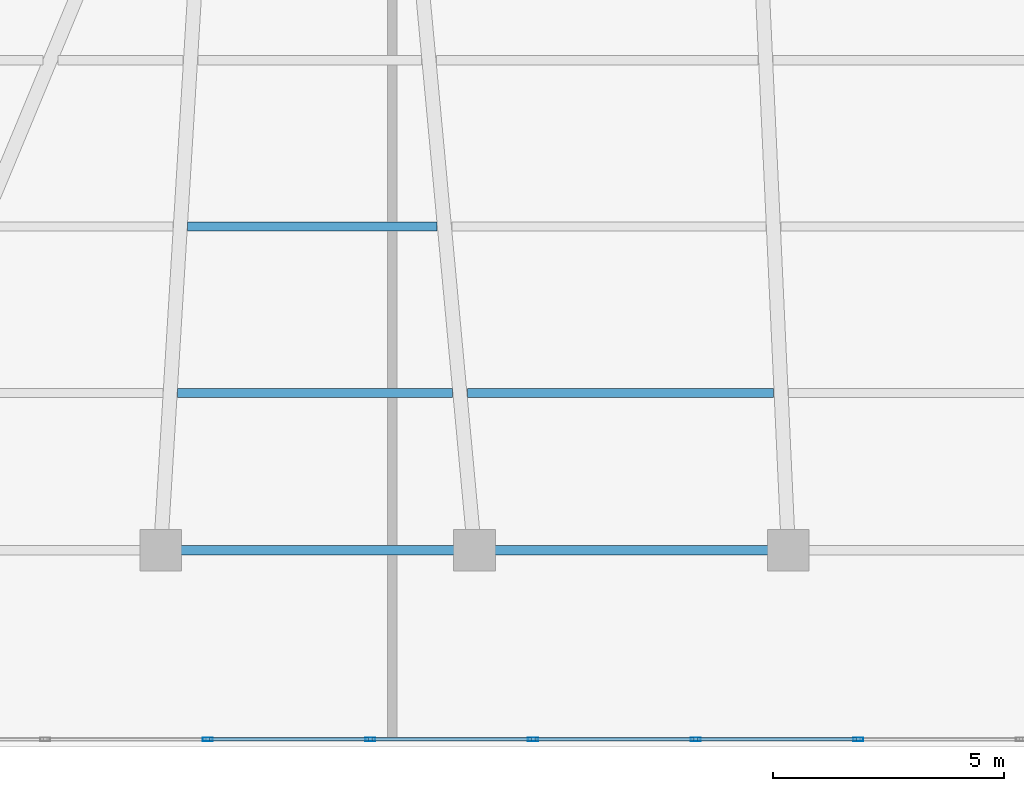
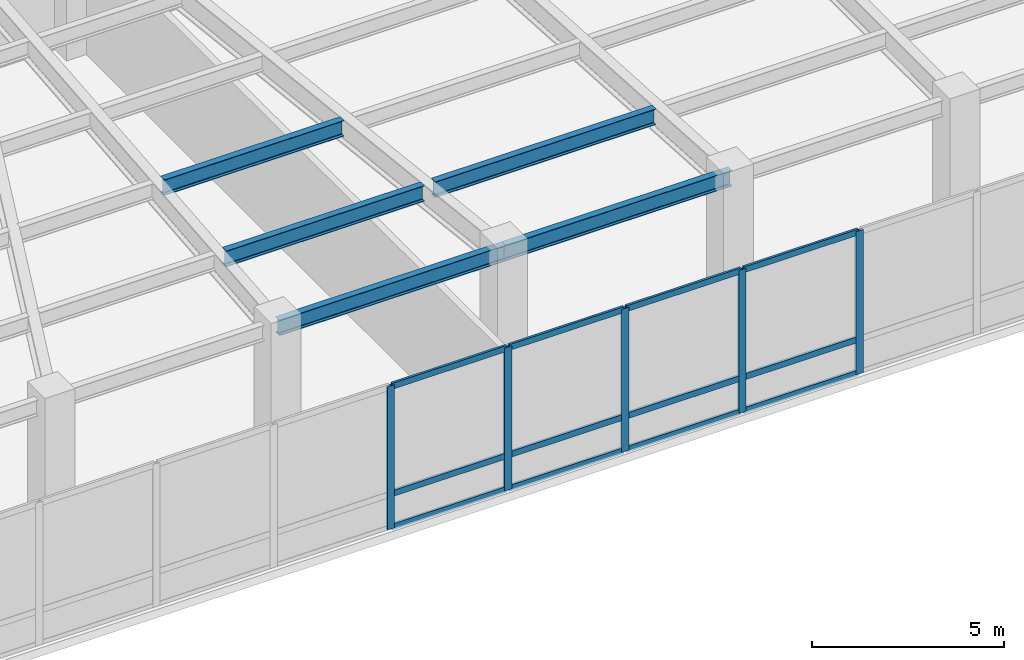
# One storey, part 4 of 19: 17 members, 5 beams, 1 element without a shape of its own.
"""IFC4 building model written with IfcOpenShell, lengths in metres."""

import ifcopenshell
import ifcopenshell.guid

model = None  # the IFC model being written
_history = None  # IfcOwnerHistory: only IFC2X3 demands one
_inside = {}  # id of a spatial element -> (the spatial element, [elements in it])
_under = {}  # id of a project, library or spatial element -> (it, [spatial elements below it])
_declared = {}  # id of a project -> (the project, [libraries it declares])
_typed = {}  # id of a type object -> (the type object, [elements of that type])
_made_of = {}  # id of a material, layer set ... -> (it, [elements and type objects made of it])


def new_model(schema):
    """Start an empty IFC model of exactly this schema.

    Asked for "IFC4X3", IfcOpenShell would pick the latest addendum, in which some entities
    have other attributes; the version numbers below select the first issue.
    IFC2X3 requires an IfcOwnerHistory on every rooted entity: one is made here for all.
    """
    global model, _history
    if schema == "IFC4X3":
        model = ifcopenshell.file(schema_version=(4, 3, 0, 0))
    else:
        model = ifcopenshell.file(schema=schema)
    _inside.clear()
    _under.clear()
    _declared.clear()
    _typed.clear()
    _made_of.clear()
    _history = None
    if model.schema == "IFC2X3":
        org = make("IfcOrganization", Name="unknown")
        user = make(
            "IfcPersonAndOrganization",
            ThePerson=make("IfcPerson", FamilyName="unknown"),
            TheOrganization=org,
        )
        app = make(
            "IfcApplication",
            ApplicationDeveloper=org,
            Version="unknown",
            ApplicationFullName="unknown",
            ApplicationIdentifier="unknown",
        )
        _history = make(
            "IfcOwnerHistory",
            OwningUser=user,
            OwningApplication=app,
            ChangeAction="ADDED",
            CreationDate=0,
        )
    return model


def make(cls, **values):
    """One entity of the class cls with the attributes given. An attribute that is None is left unset."""
    return model.create_entity(
        cls, **{name: value for name, value in values.items() if value is not None}
    )


def rooted(cls, **values):
    """An entity with a GlobalId (a new one), such as an element, a storey or a relation."""
    return make(cls, GlobalId=ifcopenshell.guid.new(), OwnerHistory=_history, **values)


def si_unit(unit_type, name, prefix=None):
    """IfcSIUnit, for example si_unit("LENGTHUNIT", "METRE", prefix="MILLI")."""
    return make("IfcSIUnit", UnitType=unit_type, Prefix=prefix, Name=name)


def assignment(units):
    """IfcUnitAssignment: the units of a project."""
    return None if units is None else make("IfcUnitAssignment", Units=units)


def point(xyz):
    """IfcCartesianPoint."""
    return None if xyz is None else make("IfcCartesianPoint", Coordinates=xyz)


def direction(xyz):
    """IfcDirection."""
    return None if xyz is None else make("IfcDirection", DirectionRatios=xyz)


def frame(location, z_axis=None, x_axis=None):
    """IfcAxis2Placement3D, a coordinate frame: its origin and axes. An axis left out is left unset."""
    return make(
        "IfcAxis2Placement3D",
        Location=point(location),
        Axis=direction(z_axis),
        RefDirection=direction(x_axis),
    )


def frame_2d(location, x_axis=None):
    """IfcAxis2Placement2D, a coordinate frame in the plane: its origin and x axis."""
    return make(
        "IfcAxis2Placement2D", Location=point(location), RefDirection=direction(x_axis)
    )


def origin():
    """The frame at (0, 0, 0) with its axes left unset."""
    return frame((0.0, 0.0, 0.0))


def origin_2d():
    """The frame at (0, 0) in the plane with its x axis left unset."""
    return frame_2d((0.0, 0.0))


def place(relative_to, where):
    """IfcLocalPlacement: puts the frame where relative to a parent placement (None: the world)."""
    return make(
        "IfcLocalPlacement", PlacementRelTo=relative_to, RelativePlacement=where
    )


def context(
    kind, dimensions, precision=None, world=None, true_north=None, identifier=None
):
    """IfcGeometricRepresentationContext, for example the 3D "Model" context."""
    return make(
        "IfcGeometricRepresentationContext",
        ContextIdentifier=identifier,
        ContextType=kind,
        CoordinateSpaceDimension=dimensions,
        Precision=precision,
        WorldCoordinateSystem=world,
        TrueNorth=true_north,
    )


def subcontext(parent, identifier, kind, view, scale=None):
    """IfcGeometricRepresentationSubContext, for example "Body" below "Model"."""
    return make(
        "IfcGeometricRepresentationSubContext",
        ContextIdentifier=identifier,
        ContextType=kind,
        ParentContext=parent,
        TargetScale=scale,
        TargetView=view,
    )


def project(units=None, contexts=None):
    """IfcProject with its units and contexts."""
    return rooted(
        "IfcProject",
        Name="project",
        RepresentationContexts=contexts,
        UnitsInContext=assignment(units),
    )


def spatial(cls, under=None, at=None, **own):
    """A site, building, storey or space (cls), placed at a placement, below another one or the project."""
    s = rooted(cls, ObjectPlacement=at, **own)
    if under is not None:
        _under.setdefault(under.id(), (under, []))[1].append(s)
    return s


def profile(cls, at=None, kind="AREA", **sizes):
    """A parametric profile (cls). Its sizes go by their IFC names, for example OverallWidth=200.0."""
    return make(cls, ProfileType=kind, Position=at, **sizes)


def hollow_rectangle(**sizes):
    """IfcRectangleHollowProfileDef."""
    return profile("IfcRectangleHollowProfileDef", **sizes)


def i_section(**sizes):
    """IfcIShapeProfileDef."""
    return profile("IfcIShapeProfileDef", **sizes)


def extrude(swept, where, along, depth):
    """IfcExtrudedAreaSolid: the profile swept, set in the frame where, extruded along a direction by depth."""
    return make(
        "IfcExtrudedAreaSolid",
        SweptArea=swept,
        Position=where,
        ExtrudedDirection=direction(along),
        Depth=depth,
    )


def shape(context_of_items, identifier, shape_type, items):
    """IfcShapeRepresentation: the items that make up one representation, for example the "Body"."""
    return make(
        "IfcShapeRepresentation",
        ContextOfItems=context_of_items,
        RepresentationIdentifier=identifier,
        RepresentationType=shape_type,
        Items=items,
    )


def material(Name=None, Category=None):
    """IfcMaterial."""
    return make("IfcMaterial", Name=Name, Category=Category)


def material_profile(
    of_material, cross_section, Name=None, Category=None, Priority=None
):
    """IfcMaterialProfile: a cross section and its material."""
    return make(
        "IfcMaterialProfile",
        Name=Name,
        Material=of_material,
        Profile=cross_section,
        Priority=Priority,
        Category=Category,
    )


def profile_set(profiles, Name=None, composite=None):
    """IfcMaterialProfileSet."""
    return make(
        "IfcMaterialProfileSet",
        Name=Name,
        MaterialProfiles=profiles,
        CompositeProfile=composite,
    )


def made_of(thing, what):
    """Note that an element or type object is made of a material, layer set ...; save() writes the relation."""
    if what is not None:
        _made_of.setdefault(what.id(), (what, []))[1].append(thing)
    return thing


def type_object(cls, material=None, **own):
    """A type object (cls), such as IfcWallType, which elements share."""
    return made_of(rooted(cls, **own), material)


def element(
    cls,
    number,
    at=None,
    inside=None,
    cuts=None,
    type_object=None,
    material=None,
    context=None,
    identifier="Body",
    shape_type=None,
    held_by="IfcProductDefinitionShape",
    body=None,
    shapes=None,
    **own,
):
    """One element of the class cls, such as IfcWall. Its Tag is "e" and its number.

    at: its placement. inside: the storey or other place that contains it. cuts: it is an
    opening in that element (IfcRelVoidsElement). A single representation is given by context,
    identifier, shape_type and body (its items); several are given by shapes. held_by: the class
    of the entity that holds the representations. save() writes the other relations.
    """
    e = rooted(cls, Tag="e%d" % number, ObjectPlacement=at, **own)
    if body is not None:
        shapes = [shape(context, identifier, shape_type, body)]
    if shapes is not None:
        e.Representation = make(held_by, Representations=shapes)
    if inside is not None:
        _inside.setdefault(inside.id(), (inside, []))[1].append(e)
    if cuts is not None:
        rooted(
            "IfcRelVoidsElement", RelatingBuildingElement=cuts, RelatedOpeningElement=e
        )
    if type_object is not None:
        _typed.setdefault(type_object.id(), (type_object, []))[1].append(e)
    return made_of(e, material)


def aggregate(whole, parts):
    """IfcRelAggregates: a whole, such as a stair, and the parts it consists of."""
    return rooted("IfcRelAggregates", RelatingObject=whole, RelatedObjects=parts)


def save(model, path):
    """Write the relations noted so far, then the file.

    IfcRelAggregates (storeys below a building ...), IfcRelContainedInSpatialStructure (elements
    in a storey), IfcRelDefinesByType, IfcRelAssociatesMaterial and IfcRelDeclares: one each for
    every whole, place, type object, material and project.
    """
    for whole, parts in _under.values():
        aggregate(whole, parts)
    for where, things in _inside.values():
        rooted(
            "IfcRelContainedInSpatialStructure",
            RelatedElements=things,
            RelatingStructure=where,
        )
    for kind, things in _typed.values():
        rooted("IfcRelDefinesByType", RelatedObjects=things, RelatingType=kind)
    for what, things in _made_of.values():
        rooted("IfcRelAssociatesMaterial", RelatedObjects=things, RelatingMaterial=what)
    for by, libraries in _declared.values():
        rooted("IfcRelDeclares", RelatingContext=by, RelatedDefinitions=libraries)
    model.write(path)


model = new_model("IFC4")

# Units and contexts
model_context = context("Model", 3, precision=1e-05, world=origin(), true_north=direction((0.0, 1.0)))
body_context = subcontext(model_context, "Body", "Model", "MODEL_VIEW")
ifc_project = project(units=[si_unit("LENGTHUNIT", "METRE"), si_unit("AREAUNIT", "SQUARE_METRE"), si_unit("VOLUMEUNIT", "CUBIC_METRE"), si_unit("PLANEANGLEUNIT", "RADIAN"), si_unit("MASSUNIT", "GRAM", prefix="KILO")], contexts=[model_context])

# Site, building, storey
site_placement = place(None, origin())
site = spatial("IfcSite", under=ifc_project, at=site_placement, CompositionType="ELEMENT")
building_placement = place(site_placement, origin())
building = spatial("IfcBuilding", under=site, at=building_placement, Name="Yelkora Congress Tower", CompositionType="ELEMENT")
storey_placement = place(building_placement, frame((0.0, 0.0, 15.60009765625)))
storey = spatial("IfcBuildingStorey", under=building, at=storey_placement, Name="L03", CompositionType="ELEMENT", Elevation=15.60009765625)

# Beams
ifc_material_1 = material(Name="Steel S355J2", Category="steel")
ifc_material_profile_1 = material_profile(ifc_material_1, i_section(OverallWidth=0.199951171875, OverallDepth=0.5, WebThickness=0.01025390625, FlangeThickness=0.01611328125, FilletRadius=0.02099609375, at=origin_2d()), Name="IPE 500")
ifc_profile_set_1 = profile_set([ifc_material_profile_1], Name="Steel S355J2")
beam_type_1 = type_object("IfcBeamType", Name="BM-JOIST-IPE500", PredefinedType="JOIST", material=ifc_profile_set_1)
beam_1_placement = place(storey_placement, frame((18.397705078125, 9.449951171875, 4.289794921875), z_axis=(1.0, 0.0, 0.0), x_axis=(0.0, 1.0, 0.0)))
element("IfcBeam", 1, at=beam_1_placement, inside=storey, type_object=beam_type_1, Name="L03 Composite Floor Joist 3", PredefinedType="JOIST", context=body_context, shape_type="SweptSolid", body=[
    extrude(i_section(OverallWidth=0.199951171875, OverallDepth=0.5, WebThickness=0.01025390625, FlangeThickness=0.01611328125, FilletRadius=0.02099609375, at=origin_2d()), origin(), (0.0, 0.0, 1.0), 5.9462890625),
])
beam_2_placement = place(storey_placement, frame((24.6640625, 9.449951171875, 4.289794921875), z_axis=(1.0, 0.0, 0.0), x_axis=(0.0, 1.0, 0.0)))
element("IfcBeam", 2, at=beam_2_placement, inside=storey, type_object=beam_type_1, Name="L03 Composite Floor Joist 4", PredefinedType="JOIST", context=body_context, shape_type="SweptSolid", body=[
    extrude(i_section(OverallWidth=0.199951171875, OverallDepth=0.5, WebThickness=0.01025390625, FlangeThickness=0.01611328125, FilletRadius=0.02099609375, at=origin_2d()), origin(), (0.0, 0.0, 1.0), 6.6279296875),
])
beam_3_placement = place(storey_placement, frame((18.61767578125, 13.050048828125, 4.289794921875), z_axis=(1.0, 0.0, 0.0), x_axis=(0.0, 1.0, 0.0)))
element("IfcBeam", 3, at=beam_3_placement, inside=storey, type_object=beam_type_1, Name="L03 Composite Floor Joist 13", PredefinedType="JOIST", context=body_context, shape_type="SweptSolid", body=[
    extrude(i_section(OverallWidth=0.199951171875, OverallDepth=0.5, WebThickness=0.01025390625, FlangeThickness=0.01611328125, FilletRadius=0.02099609375, at=origin_2d()), origin(), (0.0, 0.0, 1.0), 5.3916015625),
])
ifc_material_profile_2 = material_profile(ifc_material_1, i_section(OverallWidth=0.199951171875, OverallDepth=0.5, WebThickness=0.01025390625, FlangeThickness=0.01611328125, FilletRadius=0.02099609375, at=origin_2d()), Name="IPE 500")
ifc_profile_set_2 = profile_set([ifc_material_profile_2], Name="Steel S355J2")
beam_type_2 = type_object("IfcBeamType", Name="BM-SPAN-IPE500B", PredefinedType="BEAM", material=ifc_profile_set_2)
for number, where, z_axis, x_axis, name in (
    (4, (18.030029296875, 6.050048828125, 4.289794921875), (1.0, 0.0, 0.0), (0.0, 1.0, 0.0), "L03 Perimeter Beam 4"),
    (5, (24.820068359375, 6.050048828125, 4.289794921875), (1.0, 0.0, 0.0), (0.0, 1.0, 0.0), "L03 Perimeter Beam 5"),
):
    element("IfcBeam", number, at=place(storey_placement, frame(where, z_axis=z_axis, x_axis=x_axis)), inside=storey, type_object=beam_type_2, Name=name, PredefinedType="BEAM", context=body_context, shape_type="SweptSolid", body=[
        extrude(i_section(OverallWidth=0.199951171875, OverallDepth=0.5, WebThickness=0.01025390625, FlangeThickness=0.01611328125, FilletRadius=0.02099609375, at=origin_2d()), origin(), (0.0, 0.0, 1.0), 6.7900390625),
    ])

# Curtain wall, members
ifc_material_2 = material(Name="Anodised aluminium and insulated glass", Category="aluminium")
curtain_wall_type = type_object("IfcCurtainWallType", Name="CW-SYS-POD", PredefinedType="NOTDEFINED", material=ifc_material_2)
curtain_wall_placement = place(storey_placement, origin())
curtain_wall = element("IfcCurtainWall", 6, at=curtain_wall_placement, inside=storey, type_object=curtain_wall_type, Name="L03 Podium South Curtain Wall", PredefinedType="NOTDEFINED")
ifc_material_3 = material(Name="Anodised aluminium 6063-T6", Category="aluminium")
ifc_material_profile_3 = material_profile(ifc_material_3, hollow_rectangle(XDim=0.074951171875, YDim=0.219970703125, WallThickness=0.0048828125, at=origin_2d()), Name="ALU 75x220x5")
ifc_profile_set_3 = profile_set([ifc_material_profile_3], Name="Anodised aluminium 6063-T6")
member_type_1 = type_object("IfcMemberType", Name="MEM-ML-POD", PredefinedType="MULLION", material=ifc_profile_set_3)
member_1_placement = place(storey_placement, frame((33.122802734375, 1.9599609375, 0.0), z_axis=(0.0, 0.0, 1.0), x_axis=(0.0, -1.0, 0.0)))
member_1 = element("IfcMember", 7, at=member_1_placement, type_object=member_type_1, Name="CW-POD mullion 13", PredefinedType="MULLION", context=body_context, shape_type="SweptSolid", body=[
    extrude(hollow_rectangle(XDim=0.074951171875, YDim=0.219970703125, WallThickness=0.0048828125, at=origin_2d()), origin(), (0.0, 0.0, 1.0), 4.539794921875),
])
member_2_placement = place(storey_placement, frame((29.604736328125, 1.9599609375, 0.0), z_axis=(0.0, 0.0, 1.0), x_axis=(0.0, -1.0, 0.0)))
member_2 = element("IfcMember", 8, at=member_2_placement, type_object=member_type_1, Name="CW-POD mullion 14", PredefinedType="MULLION", context=body_context, shape_type="SweptSolid", body=[
    extrude(hollow_rectangle(XDim=0.074951171875, YDim=0.219970703125, WallThickness=0.0048828125, at=origin_2d()), origin(), (0.0, 0.0, 1.0), 4.539794921875),
])
member_3_placement = place(storey_placement, frame((26.086669921875, 1.9599609375, 0.0), z_axis=(0.0, 0.0, 1.0), x_axis=(0.0, -1.0, 0.0)))
member_3 = element("IfcMember", 9, at=member_3_placement, type_object=member_type_1, Name="CW-POD mullion 15", PredefinedType="MULLION", context=body_context, shape_type="SweptSolid", body=[
    extrude(hollow_rectangle(XDim=0.074951171875, YDim=0.219970703125, WallThickness=0.0048828125, at=origin_2d()), origin(), (0.0, 0.0, 1.0), 4.539794921875),
])
member_4_placement = place(storey_placement, frame((22.568603515625, 1.9599609375, 0.0), z_axis=(0.0, 0.0, 1.0), x_axis=(0.0, -1.0, 0.0)))
member_4 = element("IfcMember", 10, at=member_4_placement, type_object=member_type_1, Name="CW-POD mullion 16", PredefinedType="MULLION", context=body_context, shape_type="SweptSolid", body=[
    extrude(hollow_rectangle(XDim=0.074951171875, YDim=0.219970703125, WallThickness=0.0048828125, at=origin_2d()), origin(), (0.0, 0.0, 1.0), 4.539794921875),
])
member_5_placement = place(storey_placement, frame((19.050537109375, 1.9599609375, 0.0), z_axis=(0.0, 0.0, 1.0), x_axis=(0.0, -1.0, 0.0)))
member_5 = element("IfcMember", 11, at=member_5_placement, type_object=member_type_1, Name="CW-POD mullion 17", PredefinedType="MULLION", context=body_context, shape_type="SweptSolid", body=[
    extrude(hollow_rectangle(XDim=0.074951171875, YDim=0.219970703125, WallThickness=0.0048828125, at=origin_2d()), origin(), (0.0, 0.0, 1.0), 4.539794921875),
])
ifc_material_profile_4 = material_profile(ifc_material_3, hollow_rectangle(XDim=0.070068359375, YDim=0.18994140625, WallThickness=0.00390625, at=origin_2d()), Name="ALU 70x190x4")
ifc_profile_set_4 = profile_set([ifc_material_profile_4], Name="Anodised aluminium 6063-T6")
member_type_2 = type_object("IfcMemberType", Name="MEM-TR-POD", PredefinedType="USERDEFINED", material=ifc_profile_set_4)
member_6_placement = place(storey_placement, frame((33.08544921875, 1.9599609375, 0.034912109375), z_axis=(-1.0, 0.0, 0.0), x_axis=(0.0, -1.0, 0.0)))
member_6 = element("IfcMember", 12, at=member_6_placement, type_object=member_type_2, Name="CW-POD transom 13.1", ObjectType="TRANSOM", PredefinedType="USERDEFINED", context=body_context, shape_type="SweptSolid", body=[
    extrude(hollow_rectangle(XDim=0.070068359375, YDim=0.18994140625, WallThickness=0.00390625, at=origin_2d()), origin(), (0.0, 0.0, 1.0), 3.443115234375),
])
member_7_placement = place(storey_placement, frame((33.08544921875, 1.9599609375, 1.099853515625), z_axis=(-1.0, 0.0, 0.0), x_axis=(0.0, -1.0, 0.0)))
member_7 = element("IfcMember", 13, at=member_7_placement, type_object=member_type_2, Name="CW-POD transom 13.2", ObjectType="TRANSOM", PredefinedType="USERDEFINED", context=body_context, shape_type="SweptSolid", body=[
    extrude(hollow_rectangle(XDim=0.070068359375, YDim=0.18994140625, WallThickness=0.00390625, at=origin_2d()), origin(), (0.0, 0.0, 1.0), 3.443115234375),
])
member_8_placement = place(storey_placement, frame((33.08544921875, 1.9599609375, 4.5048828125), z_axis=(-1.0, 0.0, 0.0), x_axis=(0.0, -1.0, 0.0)))
member_8 = element("IfcMember", 14, at=member_8_placement, type_object=member_type_2, Name="CW-POD transom 13.3", ObjectType="TRANSOM", PredefinedType="USERDEFINED", context=body_context, shape_type="SweptSolid", body=[
    extrude(hollow_rectangle(XDim=0.070068359375, YDim=0.18994140625, WallThickness=0.00390625, at=origin_2d()), origin(), (0.0, 0.0, 1.0), 3.443115234375),
])
member_9_placement = place(storey_placement, frame((29.5673828125, 1.9599609375, 0.034912109375), z_axis=(-1.0, 0.0, 0.0), x_axis=(0.0, -1.0, 0.0)))
member_9 = element("IfcMember", 15, at=member_9_placement, type_object=member_type_2, Name="CW-POD transom 14.1", ObjectType="TRANSOM", PredefinedType="USERDEFINED", context=body_context, shape_type="SweptSolid", body=[
    extrude(hollow_rectangle(XDim=0.070068359375, YDim=0.18994140625, WallThickness=0.00390625, at=origin_2d()), origin(), (0.0, 0.0, 1.0), 3.443115234375),
])
member_10_placement = place(storey_placement, frame((29.5673828125, 1.9599609375, 1.099853515625), z_axis=(-1.0, 0.0, 0.0), x_axis=(0.0, -1.0, 0.0)))
member_10 = element("IfcMember", 16, at=member_10_placement, type_object=member_type_2, Name="CW-POD transom 14.2", ObjectType="TRANSOM", PredefinedType="USERDEFINED", context=body_context, shape_type="SweptSolid", body=[
    extrude(hollow_rectangle(XDim=0.070068359375, YDim=0.18994140625, WallThickness=0.00390625, at=origin_2d()), origin(), (0.0, 0.0, 1.0), 3.443115234375),
])
member_11_placement = place(storey_placement, frame((29.5673828125, 1.9599609375, 4.5048828125), z_axis=(-1.0, 0.0, 0.0), x_axis=(0.0, -1.0, 0.0)))
member_11 = element("IfcMember", 17, at=member_11_placement, type_object=member_type_2, Name="CW-POD transom 14.3", ObjectType="TRANSOM", PredefinedType="USERDEFINED", context=body_context, shape_type="SweptSolid", body=[
    extrude(hollow_rectangle(XDim=0.070068359375, YDim=0.18994140625, WallThickness=0.00390625, at=origin_2d()), origin(), (0.0, 0.0, 1.0), 3.443115234375),
])
member_12_placement = place(storey_placement, frame((26.049072265625, 1.9599609375, 0.034912109375), z_axis=(-1.0, 0.0, 0.0), x_axis=(0.0, -1.0, 0.0)))
member_12 = element("IfcMember", 18, at=member_12_placement, type_object=member_type_2, Name="CW-POD transom 15.1", ObjectType="TRANSOM", PredefinedType="USERDEFINED", context=body_context, shape_type="SweptSolid", body=[
    extrude(hollow_rectangle(XDim=0.070068359375, YDim=0.18994140625, WallThickness=0.00390625, at=origin_2d()), origin(), (0.0, 0.0, 1.0), 3.443115234375),
])
member_13_placement = place(storey_placement, frame((26.049072265625, 1.9599609375, 1.099853515625), z_axis=(-1.0, 0.0, 0.0), x_axis=(0.0, -1.0, 0.0)))
member_13 = element("IfcMember", 19, at=member_13_placement, type_object=member_type_2, Name="CW-POD transom 15.2", ObjectType="TRANSOM", PredefinedType="USERDEFINED", context=body_context, shape_type="SweptSolid", body=[
    extrude(hollow_rectangle(XDim=0.070068359375, YDim=0.18994140625, WallThickness=0.00390625, at=origin_2d()), origin(), (0.0, 0.0, 1.0), 3.443115234375),
])
member_14_placement = place(storey_placement, frame((26.049072265625, 1.9599609375, 4.5048828125), z_axis=(-1.0, 0.0, 0.0), x_axis=(0.0, -1.0, 0.0)))
member_14 = element("IfcMember", 20, at=member_14_placement, type_object=member_type_2, Name="CW-POD transom 15.3", ObjectType="TRANSOM", PredefinedType="USERDEFINED", context=body_context, shape_type="SweptSolid", body=[
    extrude(hollow_rectangle(XDim=0.070068359375, YDim=0.18994140625, WallThickness=0.00390625, at=origin_2d()), origin(), (0.0, 0.0, 1.0), 3.443115234375),
])
member_15_placement = place(storey_placement, frame((22.531005859375, 1.9599609375, 0.034912109375), z_axis=(-1.0, 0.0, 0.0), x_axis=(0.0, -1.0, 0.0)))
member_15 = element("IfcMember", 21, at=member_15_placement, type_object=member_type_2, Name="CW-POD transom 16.1", ObjectType="TRANSOM", PredefinedType="USERDEFINED", context=body_context, shape_type="SweptSolid", body=[
    extrude(hollow_rectangle(XDim=0.070068359375, YDim=0.18994140625, WallThickness=0.00390625, at=origin_2d()), origin(), (0.0, 0.0, 1.0), 3.443115234375),
])
member_16_placement = place(storey_placement, frame((22.531005859375, 1.9599609375, 1.099853515625), z_axis=(-1.0, 0.0, 0.0), x_axis=(0.0, -1.0, 0.0)))
member_16 = element("IfcMember", 22, at=member_16_placement, type_object=member_type_2, Name="CW-POD transom 16.2", ObjectType="TRANSOM", PredefinedType="USERDEFINED", context=body_context, shape_type="SweptSolid", body=[
    extrude(hollow_rectangle(XDim=0.070068359375, YDim=0.18994140625, WallThickness=0.00390625, at=origin_2d()), origin(), (0.0, 0.0, 1.0), 3.443115234375),
])
member_17_placement = place(storey_placement, frame((22.531005859375, 1.9599609375, 4.5048828125), z_axis=(-1.0, 0.0, 0.0), x_axis=(0.0, -1.0, 0.0)))
member_17 = element("IfcMember", 23, at=member_17_placement, type_object=member_type_2, Name="CW-POD transom 16.3", ObjectType="TRANSOM", PredefinedType="USERDEFINED", context=body_context, shape_type="SweptSolid", body=[
    extrude(hollow_rectangle(XDim=0.070068359375, YDim=0.18994140625, WallThickness=0.00390625, at=origin_2d()), origin(), (0.0, 0.0, 1.0), 3.443115234375),
])
aggregate(curtain_wall, [member_1, member_2, member_3, member_4, member_5, member_6, member_7, member_8, member_9, member_10, member_11, member_12, member_13, member_14, member_15, member_16, member_17])

save(model, "model.ifc")
